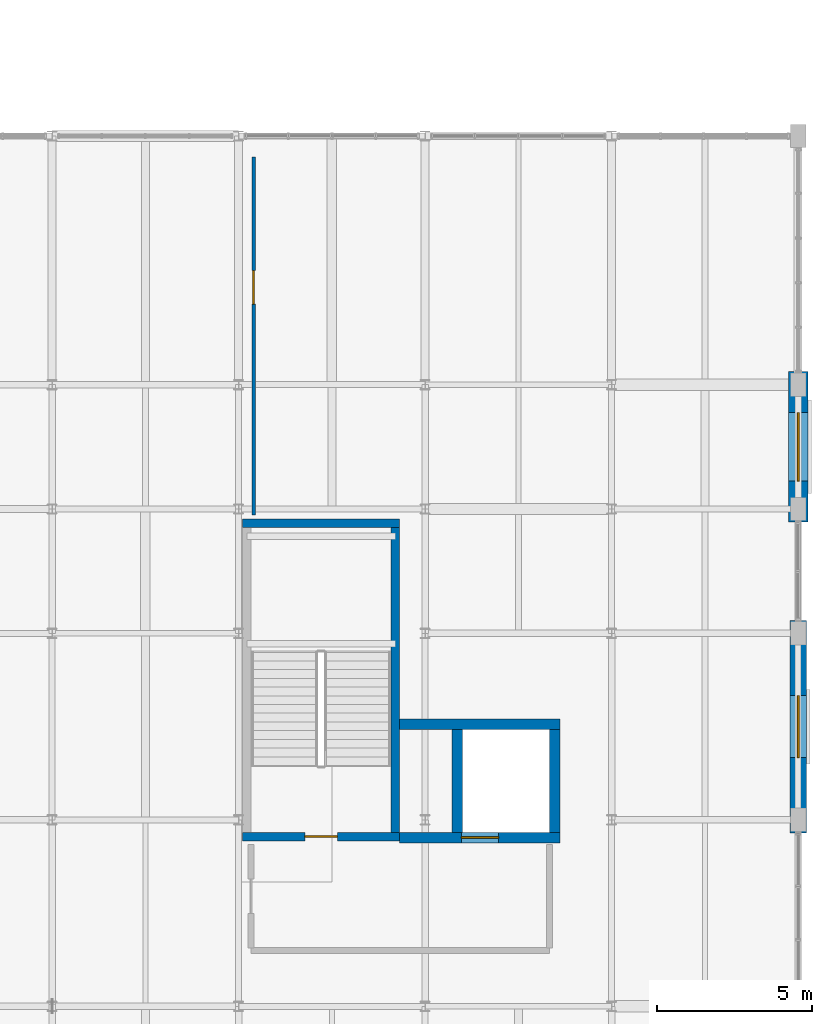
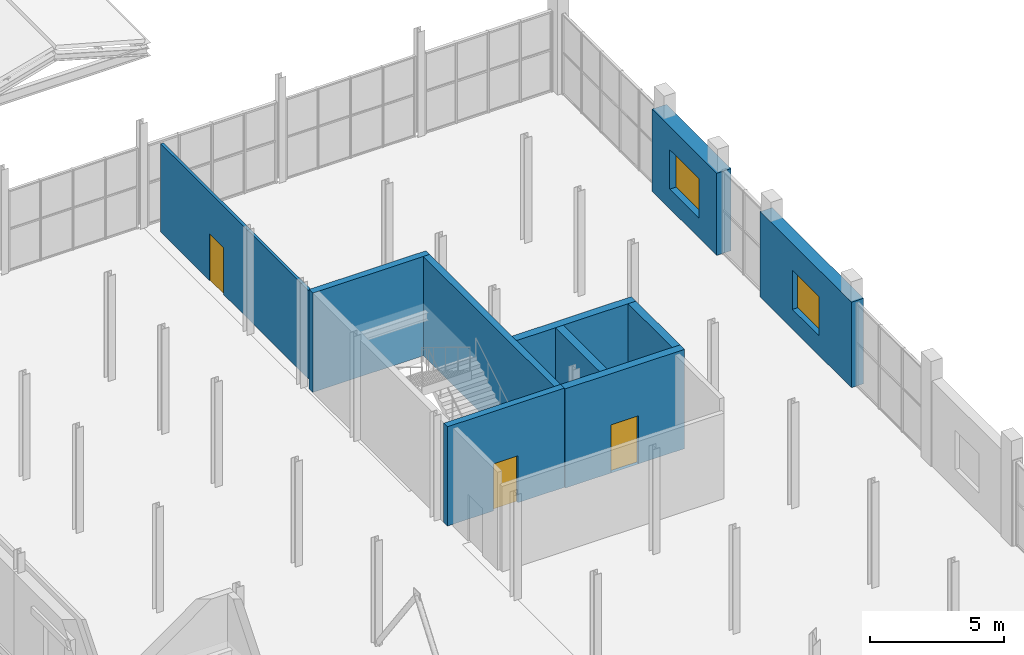
# One storey, part 103 of 114: 10 walls, 3 doors, 2 windows, 5 openings.
"""IFC4 building model written with IfcOpenShell, lengths in metres."""

from ifc_helpers import new_model, si_unit, direction, frame, frame_2d, origin, place, context, subcontext, project, spatial, rectangle, extrude, material, layer, layer_set, type_object, element, fill, save


model = new_model("IFC4")

# Units and contexts
model_context = context("Model", 3, precision=1e-05, world=origin(), true_north=direction((0.0, 1.0)))
body_context = subcontext(model_context, "Body", "Model", "MODEL_VIEW")
ifc_project = project(units=[si_unit("LENGTHUNIT", "METRE"), si_unit("AREAUNIT", "SQUARE_METRE"), si_unit("VOLUMEUNIT", "CUBIC_METRE"), si_unit("PLANEANGLEUNIT", "RADIAN"), si_unit("MASSUNIT", "GRAM", prefix="KILO")], contexts=[model_context])

# Site, building, storey
site_placement = place(None, origin())
site = spatial("IfcSite", under=ifc_project, at=site_placement, CompositionType="ELEMENT")
building_placement = place(site_placement, origin())
building = spatial("IfcBuilding", under=site, at=building_placement, Name="Verrall Gate Interchange", CompositionType="ELEMENT")
storey_placement = place(building_placement, frame((0.0, 0.0, 6.60009765625)))
storey = spatial("IfcBuildingStorey", under=building, at=storey_placement, Name="L02", CompositionType="ELEMENT", Elevation=6.60009765625)

# Wall, opening, window
ifc_material_1 = material(Name="Prairie Charcoal Granite Plinth Rainscreen Assembly (U=0.18)", Category="masonry")
ifc_layer_1 = layer(ifc_material_1, 0.52001953125)
ifc_layer_set_1 = layer_set([ifc_layer_1], Name="Prairie Charcoal Granite Plinth Rainscreen Assembly (U=0.18)")
wall_type_1 = type_object("IfcWallType", Name="EW-03 Exterior Solid Wall 520", PredefinedType="SOLIDWALL", material=ifc_layer_set_1)
wall_1_placement = place(storey_placement, frame((168.0, 33.580078125, 0.0), z_axis=(0.0, 0.0, 1.0), x_axis=(0.0, 1.0, 0.0)))
wall_1 = element("IfcWall", 1, at=wall_1_placement, inside=storey, type_object=wall_type_1, Name="L02 Classical Limestone Facade Wall 063", PredefinedType="SOLIDWALL", context=body_context, shape_type="SweptSolid", body=[
    extrude(rectangle(XDim=6.83984375, YDim=0.52001953125, at=frame_2d((3.419921875, 0.0))), origin(), (0.0, 0.0, 1.0), 3.910888671875),
])
opening_1_placement = place(wall_1_placement, frame((2.419921875, 0.0, 0.89990234375)))
opening_1 = element("IfcOpeningElement", 2, at=opening_1_placement, cuts=wall_1, Name="Opening WN-06", PredefinedType="OPENING", context=body_context, shape_type="SweptSolid", body=[
    extrude(rectangle(XDim=2.0, YDim=1.800048828125, at=frame_2d((1.0, 0.89990234375))), frame((0.0, 0.27490234375, 0.0), z_axis=(0.0, -1.0, 0.0), x_axis=(1.0, 0.0, 0.0)), (0.0, 0.0, 1.0), 0.5498046875),
])
ifc_material_2 = material(Name="Triple-Glazed Low-E Argon Bronze-Clad Window Unit (U=1.40)", Category="glass")
window_type_1 = type_object("IfcWindowType", Name="WN-06 Classical Deep-Reveal Window 2000x1800", PartitioningType="SINGLE_PANEL", PredefinedType="WINDOW", material=ifc_material_2)
window_1_placement = place(opening_1_placement, origin())
window_1 = element("IfcWindow", 3, at=window_1_placement, inside=storey, type_object=window_type_1, Name="L02 Classical Window 021 (WN-06)", OverallHeight=1.800048828125, OverallWidth=2.0, PartitioningType="SINGLE_PANEL", PredefinedType="WINDOW", context=body_context, shape_type="SweptSolid", body=[
    extrude(rectangle(XDim=2.0, YDim=1.800048828125, at=frame_2d((1.0, 0.89990234375))), frame((0.0, 0.030029296875, 0.0), z_axis=(0.0, -1.0, 0.0), x_axis=(1.0, 0.0, 0.0)), (0.0, 0.0, 1.0), 0.06005859375),
])
fill(opening_1, window_1)

ifc_material_3 = material(Name="Prairie Charcoal Granite Plinth Rainscreen Assembly (U=0.18)", Category="masonry")
ifc_layer_2 = layer(ifc_material_3, 0.6201171875)
ifc_layer_set_2 = layer_set([ifc_layer_2], Name="Prairie Charcoal Granite Plinth Rainscreen Assembly (U=0.18)")
wall_type_2 = type_object("IfcWallType", Name="EW-05 Exterior Solid Wall 620", PredefinedType="SOLIDWALL", material=ifc_layer_set_2)
wall_2_placement = place(storey_placement, frame((168.0, 43.580078125, 0.0), z_axis=(0.0, 0.0, 1.0), x_axis=(0.0, 1.0, 0.0)))
wall_2 = element("IfcWall", 4, at=wall_2_placement, inside=storey, type_object=wall_type_2, Name="L02 Classical Limestone Facade Wall 064", PredefinedType="SOLIDWALL", context=body_context, shape_type="SweptSolid", body=[
    extrude(rectangle(XDim=4.83984375, YDim=0.6201171875, at=frame_2d((2.419921875, 0.0))), origin(), (0.0, 0.0, 1.0), 3.7568359375),
])
opening_2_placement = place(wall_2_placement, frame((1.320068359375, 0.0, 0.89990234375)))
opening_2 = element("IfcOpeningElement", 5, at=opening_2_placement, cuts=wall_2, Name="Opening WN-07", PredefinedType="OPENING", context=body_context, shape_type="SweptSolid", body=[
    extrude(rectangle(XDim=2.199951171875, YDim=1.800048828125, at=frame_2d((1.10009765625, 0.89990234375))), frame((0.0, 0.324951171875, 0.0), z_axis=(0.0, -1.0, 0.0), x_axis=(1.0, 0.0, 0.0)), (0.0, 0.0, 1.0), 0.64990234375),
])
ifc_material_4 = material(Name="Triple-Glazed Low-E Argon Bronze-Clad Window Unit (U=1.40)", Category="glass")
window_type_2 = type_object("IfcWindowType", Name="WN-07 Classical Deep-Reveal Window 2200x1800", PartitioningType="SINGLE_PANEL", PredefinedType="WINDOW", material=ifc_material_4)
window_2_placement = place(opening_2_placement, origin())
window_2 = element("IfcWindow", 6, at=window_2_placement, inside=storey, type_object=window_type_2, Name="L02 Classical Window 022 (WN-07)", OverallHeight=1.800048828125, OverallWidth=2.199951171875, PartitioningType="SINGLE_PANEL", PredefinedType="WINDOW", context=body_context, shape_type="SweptSolid", body=[
    extrude(rectangle(XDim=2.199951171875, YDim=1.800048828125, at=frame_2d((1.10009765625, 0.89990234375))), frame((0.0, 0.030029296875, 0.0), z_axis=(0.0, -1.0, 0.0), x_axis=(1.0, 0.0, 0.0)), (0.0, 0.0, 1.0), 0.06005859375),
])
fill(opening_2, window_2)

# Wall, opening, door
ifc_material_5 = material(Name="Acoustic Steel-Stud Partition Assembly", Category="steel")
ifc_layer_3 = layer(ifc_material_5, 0.1201171875)
ifc_layer_set_3 = layer_set([ifc_layer_3], Name="Acoustic Steel-Stud Partition Assembly")
wall_type_3 = type_object("IfcWallType", Name="IW-04 Interior Partition Wall 120", PredefinedType="PARTITIONING", material=ifc_layer_set_3)
wall_3_placement = place(storey_placement, frame((150.47998046875, 43.81005859375, 0.0), z_axis=(0.0, 0.0, 1.0), x_axis=(0.0, 1.0, 0.0)))
wall_3 = element("IfcWall", 7, at=wall_3_placement, inside=storey, type_object=wall_type_3, Name="L02 Commuter Co-Working and Community Hub Partition 048", PredefinedType="PARTITIONING", context=body_context, shape_type="SweptSolid", body=[
    extrude(rectangle(XDim=11.510009765625, YDim=0.1201171875, at=frame_2d((5.7548828125, 0.0))), origin(), (0.0, 0.0, 1.0), 4.039794921875),
])
opening_3_placement = place(wall_3_placement, frame((6.779541015625, 0.0, 0.0)))
opening_3 = element("IfcOpeningElement", 8, at=opening_3_placement, cuts=wall_3, Name="Opening D038", PredefinedType="OPENING", context=body_context, shape_type="SweptSolid", body=[
    extrude(rectangle(XDim=1.080078125, YDim=2.14990234375, at=frame_2d((0.5400390625, 1.074951171875))), frame((0.0, 0.074951171875, 0.0), z_axis=(0.0, -1.0, 0.0), x_axis=(1.0, 0.0, 0.0)), (0.0, 0.0, 1.0), 0.14990234375),
])
ifc_material_6 = material(Name="Architectural Solid-Core Birch Acoustic Door Assembly", Category="wood")
door_type_1 = type_object("IfcDoorType", Name="ID-13 Interior Swing Door 1080x2150", OperationType="NOTDEFINED", PredefinedType="DOOR", material=ifc_material_6)
door_1_placement = place(opening_3_placement, origin())
door_1 = element("IfcDoor", 9, at=door_1_placement, inside=storey, type_object=door_type_1, Name="L02 Commuter Co-Working and Community Hub Door D038", OperationType="SINGLE_SWING_LEFT", OverallHeight=2.14990234375, OverallWidth=1.080078125, PredefinedType="DOOR", context=body_context, shape_type="SweptSolid", body=[
    extrude(rectangle(XDim=1.080078125, YDim=2.14990234375, at=frame_2d((0.5400390625, 1.074951171875))), frame((0.0, 0.02490234375, 0.0), z_axis=(0.0, -1.0, 0.0), x_axis=(1.0, 0.0, 0.0)), (0.0, 0.0, 1.0), 0.050048828125),
])
fill(opening_3, door_1)

ifc_material_7 = material(Name="Concrete CSA A23.1 40 MPa (Class N)", Category="concrete")
ifc_layer_4 = layer(ifc_material_7, 0.340087890625)
ifc_layer_set_4 = layer_set([ifc_layer_4], Name="Concrete CSA A23.1 40 MPa (Class N)")
wall_type_4 = type_object("IfcWallType", Name="SW-02 Core Shear Wall 340", PredefinedType="SHEAR", material=ifc_layer_set_4)
wall_4_placement = place(storey_placement, frame((155.179931640625, 33.429931640625, 0.0), z_axis=(0.0, 0.0, 1.0), x_axis=(1.0, 0.0, 0.0)))
wall_4 = element("IfcWall", 10, at=wall_4_placement, inside=storey, type_object=wall_type_4, Name="L02 Elevator EL-07 South Shaft Wall", PredefinedType="SHEAR", context=body_context, shape_type="SweptSolid", body=[
    extrude(rectangle(XDim=5.16015625, YDim=0.340087890625, at=frame_2d((2.580078125, 0.0))), origin(), (0.0, 0.0, 1.0), 4.539794921875),
])
opening_4_placement = place(wall_4_placement, frame((1.97998046875, 0.0, 0.0)))
opening_4 = element("IfcOpeningElement", 11, at=opening_4_placement, cuts=wall_4, Name="Opening LD-07-L02", PredefinedType="OPENING", context=body_context, shape_type="SweptSolid", body=[
    extrude(rectangle(XDim=1.199951171875, YDim=2.199951171875, at=frame_2d((0.60009765625, 1.10009765625))), frame((0.0, 0.18505859375, 0.0), z_axis=(0.0, -1.0, 0.0), x_axis=(1.0, 0.0, 0.0)), (0.0, 0.0, 1.0), 0.369873046875),
])
ifc_material_8 = material(Name="Stainless-Steel Elevator Landing Sliding Door Assembly", Category="steel")
door_type_2 = type_object("IfcDoorType", Name="LD-02 Elevator Sliding Landing Door 1200x2200", OperationType="NOTDEFINED", PredefinedType="DOOR", material=ifc_material_8)
door_2_placement = place(opening_4_placement, origin())
door_2 = element("IfcDoor", 12, at=door_2_placement, inside=storey, type_object=door_type_2, Name="L02 Elevator EL-07 Sliding Landing Door", OperationType="DOUBLE_DOOR_SLIDING", OverallHeight=2.199951171875, OverallWidth=1.199951171875, PredefinedType="DOOR", context=body_context, shape_type="SweptSolid", body=[
    extrude(rectangle(XDim=1.199951171875, YDim=2.199951171875, at=frame_2d((0.60009765625, 1.10009765625))), frame((0.0, 0.02490234375, 0.0), z_axis=(0.0, -1.0, 0.0), x_axis=(1.0, 0.0, 0.0)), (0.0, 0.0, 1.0), 0.050048828125),
])
fill(opening_4, door_2)

# Walls
wall_5_placement = place(storey_placement, frame((160.340087890625, 37.070068359375, 0.0), z_axis=(0.0, 0.0, 1.0), x_axis=(-1.0, 0.0, 0.0)))
element("IfcWall", 13, at=wall_5_placement, inside=storey, type_object=wall_type_4, Name="L02 Elevator EL-07 North Shaft Wall", PredefinedType="SHEAR", context=body_context, shape_type="SweptSolid", body=[
    extrude(rectangle(XDim=5.16015625, YDim=0.340087890625, at=frame_2d((2.580078125, 0.0))), origin(), (0.0, 0.0, 1.0), 4.539794921875),
])
for number, where, z_axis, x_axis, name in (
    (14, (157.030029296875, 36.89990234375, 0.0), (0.0, 0.0, 1.0), (0.0, -1.0, 0.0), "L02 Elevator EL-07 West Shaft Wall"),
    (15, (160.169921875, 33.60009765625, 0.0), (0.0, 0.0, 1.0), (0.0, 1.0, 0.0), "L02 Elevator EL-07 East Shaft Wall"),
):
    element("IfcWall", number, at=place(storey_placement, frame(where, z_axis=z_axis, x_axis=x_axis)), inside=storey, type_object=wall_type_4, Name=name, PredefinedType="SHEAR", context=body_context, shape_type="SweptSolid", body=[
        extrude(rectangle(XDim=3.2998046875, YDim=0.340087890625, at=frame_2d((1.64990234375, 0.0))), origin(), (0.0, 0.0, 1.0), 4.539794921875),
    ])

# Wall, opening, door
ifc_material_9 = material(Name="Concrete CSA A23.1 40 MPa (Class N)", Category="concrete")
ifc_layer_5 = layer(ifc_material_9, 0.280029296875)
ifc_layer_set_5 = layer_set([ifc_layer_5], Name="Concrete CSA A23.1 40 MPa (Class N)")
wall_type_5 = type_object("IfcWallType", Name="SW-03 Core Shear Wall 280", PredefinedType="SHEAR", material=ifc_layer_set_5)
wall_6_placement = place(storey_placement, frame((150.1201171875, 33.4599609375, 0.0), z_axis=(0.0, 0.0, 1.0), x_axis=(1.0, 0.0, 0.0)))
wall_6 = element("IfcWall", 16, at=wall_6_placement, inside=storey, type_object=wall_type_5, Name="L02 Core C9 South Shear Wall", PredefinedType="SHEAR", context=body_context, shape_type="SweptSolid", body=[
    extrude(rectangle(XDim=5.059814453125, YDim=0.280029296875, at=frame_2d((2.52978515625, 0.0))), origin(), (0.0, 0.0, 1.0), 4.539794921875),
])
opening_5_placement = place(wall_6_placement, frame((2.0048828125, 0.0, 0.0)))
opening_5 = element("IfcOpeningElement", 17, at=opening_5_placement, cuts=wall_6, Name="Opening SD100", PredefinedType="OPENING", context=body_context, shape_type="SweptSolid", body=[
    extrude(rectangle(XDim=1.050048828125, YDim=2.14990234375, at=frame_2d((0.52490234375, 1.074951171875))), frame((0.0, 0.15478515625, 0.0), z_axis=(0.0, -1.0, 0.0), x_axis=(1.0, 0.0, 0.0)), (0.0, 0.0, 1.0), 0.309814453125),
])
ifc_material_10 = material(Name="Hollow-Metal Fire-Rated Door Assembly", Category="metal")
door_type_3 = type_object("IfcDoorType", Name="ID-01 Interior Swing Door 1050x2150", OperationType="NOTDEFINED", PredefinedType="DOOR", material=ifc_material_10)
door_3_placement = place(opening_5_placement, origin())
door_3 = element("IfcDoor", 18, at=door_3_placement, inside=storey, type_object=door_type_3, Name="L02 Stair ST-09 Fire Door SD100", OperationType="SINGLE_SWING_RIGHT", OverallHeight=2.14990234375, OverallWidth=1.050048828125, PredefinedType="DOOR", context=body_context, shape_type="SweptSolid", body=[
    extrude(rectangle(XDim=1.050048828125, YDim=2.14990234375, at=frame_2d((0.52490234375, 1.074951171875))), frame((0.0, 0.02490234375, 0.0), z_axis=(0.0, -1.0, 0.0), x_axis=(1.0, 0.0, 0.0)), (0.0, 0.0, 1.0), 0.050048828125),
])
fill(opening_5, door_3)

# Walls
wall_7_placement = place(storey_placement, frame((155.179931640625, 43.5400390625, 0.0), z_axis=(0.0, 0.0, 1.0), x_axis=(-1.0, 0.0, 0.0)))
element("IfcWall", 19, at=wall_7_placement, inside=storey, type_object=wall_type_5, Name="L02 Core C9 North Shear Wall", PredefinedType="SHEAR", context=body_context, shape_type="SweptSolid", body=[
    extrude(rectangle(XDim=5.059814453125, YDim=0.280029296875, at=frame_2d((2.52978515625, 0.0))), origin(), (0.0, 0.0, 1.0), 4.539794921875),
])
wall_8_placement = place(storey_placement, frame((155.0400390625, 33.60009765625, 0.0), z_axis=(0.0, 0.0, 1.0), x_axis=(0.0, 1.0, 0.0)))
element("IfcWall", 20, at=wall_8_placement, inside=storey, type_object=wall_type_5, Name="L02 Core C9 East Shear Wall", PredefinedType="SHEAR", context=body_context, shape_type="SweptSolid", body=[
    extrude(rectangle(XDim=9.7998046875, YDim=0.280029296875, at=frame_2d((4.89990234375, 0.0))), origin(), (0.0, 0.0, 1.0), 4.539794921875),
])

save(model, "model.ifc")
